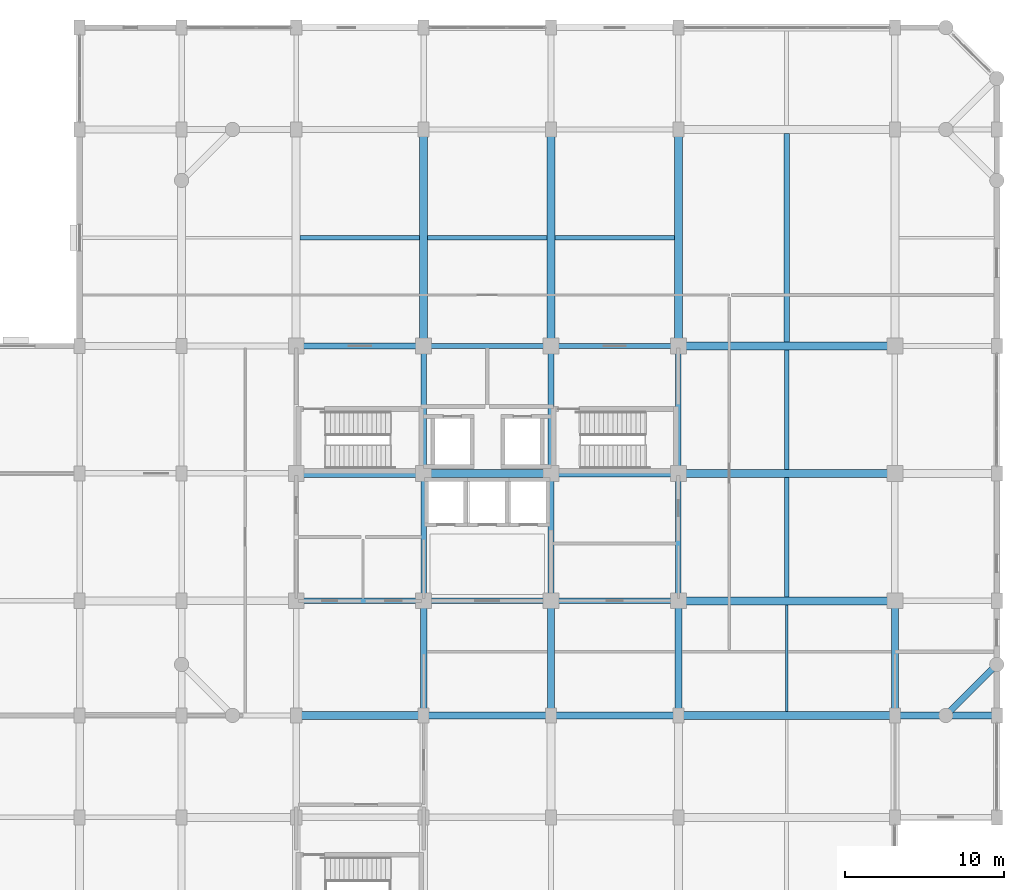
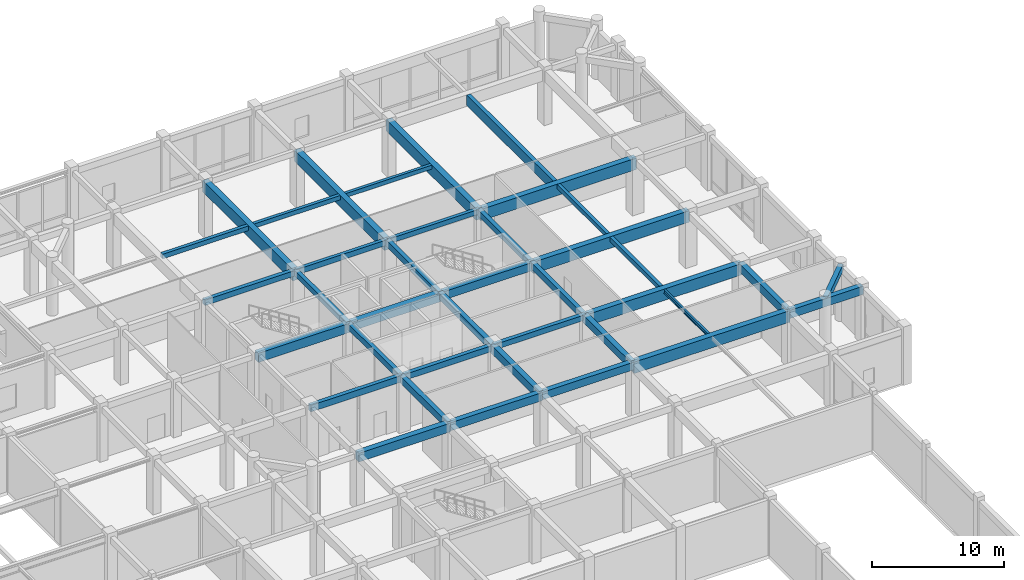
# One storey, part 15 of 36: 38 beams.
"""IFC4 building model written with IfcOpenShell, lengths in metres."""

from ifc_helpers import new_model, si_unit, direction, frame, origin, origin_2d, place, context, subcontext, project, spatial, rectangle, i_section, extrude, material, material_profile, profile_set, type_object, element, save


model = new_model("IFC4")

# Units and contexts
model_context = context("Model", 3, precision=1e-05, world=origin(), true_north=direction((0.0, 1.0)))
body_context = subcontext(model_context, "Body", "Model", "MODEL_VIEW")
ifc_project = project(units=[si_unit("LENGTHUNIT", "METRE"), si_unit("AREAUNIT", "SQUARE_METRE"), si_unit("VOLUMEUNIT", "CUBIC_METRE"), si_unit("PLANEANGLEUNIT", "RADIAN"), si_unit("MASSUNIT", "GRAM", prefix="KILO")], contexts=[model_context])

# Site, building, storey
site_placement = place(None, origin())
site = spatial("IfcSite", under=ifc_project, at=site_placement, CompositionType="ELEMENT")
building_placement = place(site_placement, origin())
building = spatial("IfcBuilding", under=site, at=building_placement, Name="Vellmiral Cinema and Media Centre", CompositionType="ELEMENT")
storey_placement = place(building_placement, frame((0.0, 0.0, 5.39990234375)))
storey = spatial("IfcBuildingStorey", under=building, at=storey_placement, Name="L01", CompositionType="ELEMENT", Elevation=5.39990234375)

# Beams
ifc_material_1 = material(Name="Concrete C40/50", Category="concrete")
ifc_material_profile_1 = material_profile(ifc_material_1, rectangle(XDim=0.300048828125, YDim=0.449951171875, at=origin_2d()), Name="RC 300x450")
ifc_profile_set_1 = profile_set([ifc_material_profile_1], Name="Concrete C40/50")
beam_type_1 = type_object("IfcBeamType", Name="BM-RC-300x450", PredefinedType="BEAM", material=ifc_profile_set_1)
beam_1_placement = place(storey_placement, frame((140.0, 95.199951171875, 4.81005859375), z_axis=(1.0, 0.0, 0.0), x_axis=(0.0, 1.0, 0.0)))
element("IfcBeam", 1, at=beam_1_placement, inside=storey, type_object=beam_type_1, Name="Grid Beam L01-X158", PredefinedType="BEAM", context=body_context, shape_type="SweptSolid", body=[
    extrude(rectangle(XDim=0.300048828125, YDim=0.449951171875, at=origin_2d()), origin(), (0.0, 0.0, 1.0), 8.0),
])
ifc_material_2 = material(Name="Concrete C40/50", Category="concrete")
ifc_material_profile_2 = material_profile(ifc_material_2, rectangle(XDim=0.300048828125, YDim=0.5, at=origin_2d()), Name="RC 300x500")
ifc_profile_set_2 = profile_set([ifc_material_profile_2], Name="Concrete C40/50")
beam_type_2 = type_object("IfcBeamType", Name="BM-RC-300x500", PredefinedType="BEAM", material=ifc_profile_set_2)
beam_2_placement = place(storey_placement, frame((132.0, 95.199951171875, 4.78515625), z_axis=(1.0, 0.0, 0.0), x_axis=(0.0, 1.0, 0.0)))
element("IfcBeam", 2, at=beam_2_placement, inside=storey, type_object=beam_type_2, Name="Grid Beam L01-X157", PredefinedType="BEAM", context=body_context, shape_type="SweptSolid", body=[
    extrude(rectangle(XDim=0.300048828125, YDim=0.5, at=origin_2d()), origin(), (0.0, 0.0, 1.0), 8.0),
])
ifc_material_3 = material(Name="Concrete C40/50", Category="concrete")
ifc_material_profile_3 = material_profile(ifc_material_3, rectangle(XDim=0.35009765625, YDim=0.5, at=origin_2d()), Name="RC 350x500")
ifc_profile_set_3 = profile_set([ifc_material_profile_3], Name="Concrete C40/50")
beam_type_3 = type_object("IfcBeamType", Name="BM-RC-350x500", PredefinedType="BEAM", material=ifc_profile_set_3)
for number, where, z_axis, x_axis, name in (
    (3, (140.0, 79.199951171875, 4.78515625), (1.0, 0.0, 0.0), (0.0, 1.0, 0.0), "Grid Beam L01-X123"),
    (4, (124.0, 95.199951171875, 4.78515625), (1.0, 0.0, 0.0), (0.0, 1.0, 0.0), "Grid Beam L01-X156"),
    (5, (132.0, 87.199951171875, 4.78515625), (0.0, 1.0, 0.0), (-1.0, 0.0, 0.0), "Grid Beam L01-Y310"),
):
    element("IfcBeam", number, at=place(storey_placement, frame(where, z_axis=z_axis, x_axis=x_axis)), inside=storey, type_object=beam_type_3, Name=name, PredefinedType="BEAM", context=body_context, shape_type="SweptSolid", body=[
        extrude(rectangle(XDim=0.35009765625, YDim=0.5, at=origin_2d()), origin(), (0.0, 0.0, 1.0), 8.0),
    ])
ifc_material_4 = material(Name="Concrete C40/50", Category="concrete")
ifc_material_profile_4 = material_profile(ifc_material_4, rectangle(XDim=0.35009765625, YDim=0.550048828125, at=origin_2d()), Name="RC 350x550")
ifc_profile_set_4 = profile_set([ifc_material_profile_4], Name="Concrete C40/50")
beam_type_4 = type_object("IfcBeamType", Name="BM-RC-350x550", PredefinedType="BEAM", material=ifc_profile_set_4)
for number, where, z_axis, x_axis, name in (
    (6, (132.0, 79.199951171875, 4.760009765625), (1.0, 0.0, 0.0), (0.0, 1.0, 0.0), "Grid Beam L01-X122"),
    (7, (132.0, 79.199951171875, 4.760009765625), (0.0, 1.0, 0.0), (-1.0, 0.0, 0.0), "Grid Beam L01-Y309"),
    (8, (148.0, 87.199951171875, 4.760009765625), (0.0, 1.0, 0.0), (-1.0, 0.0, 0.0), "Grid Beam L01-Y331"),
):
    element("IfcBeam", number, at=place(storey_placement, frame(where, z_axis=z_axis, x_axis=x_axis)), inside=storey, type_object=beam_type_4, Name=name, PredefinedType="BEAM", context=body_context, shape_type="SweptSolid", body=[
        extrude(rectangle(XDim=0.35009765625, YDim=0.550048828125, at=origin_2d()), origin(), (0.0, 0.0, 1.0), 8.0),
    ])
ifc_material_5 = material(Name="Concrete C40/50", Category="concrete")
ifc_material_profile_5 = material_profile(ifc_material_5, rectangle(XDim=0.35009765625, YDim=0.60009765625, at=origin_2d()), Name="RC 350x600")
ifc_profile_set_5 = profile_set([ifc_material_profile_5], Name="Concrete C40/50")
beam_type_5 = type_object("IfcBeamType", Name="BM-RC-350x600", PredefinedType="BEAM", material=ifc_profile_set_5)
for number, where, z_axis, x_axis, name in (
    (9, (124.0, 79.199951171875, 4.735107421875), (1.0, 0.0, 0.0), (0.0, 1.0, 0.0), "Grid Beam L01-X121"),
    (10, (140.0, 87.199951171875, 4.735107421875), (0.0, 1.0, 0.0), (-1.0, 0.0, 0.0), "Grid Beam L01-Y319"),
    (11, (148.0, 79.199951171875, 4.735107421875), (0.0, 1.0, 0.0), (-1.0, 0.0, 0.0), "Grid Beam L01-Y330"),
):
    element("IfcBeam", number, at=place(storey_placement, frame(where, z_axis=z_axis, x_axis=x_axis)), inside=storey, type_object=beam_type_5, Name=name, PredefinedType="BEAM", context=body_context, shape_type="SweptSolid", body=[
        extrude(rectangle(XDim=0.35009765625, YDim=0.60009765625, at=origin_2d()), origin(), (0.0, 0.0, 1.0), 8.0),
    ])
ifc_material_6 = material(Name="Concrete C40/50", Category="concrete")
ifc_material_profile_6 = material_profile(ifc_material_6, rectangle(XDim=0.39990234375, YDim=0.60009765625, at=origin_2d()), Name="RC 400x600")
ifc_profile_set_6 = profile_set([ifc_material_profile_6], Name="Concrete C40/50")
beam_type_6 = type_object("IfcBeamType", Name="BM-RC-400x600", PredefinedType="BEAM", material=ifc_profile_set_6)
beam_3_placement = place(storey_placement, frame((140.0, 79.199951171875, 4.735107421875), z_axis=(0.0, 1.0, 0.0), x_axis=(-1.0, 0.0, 0.0)))
element("IfcBeam", 12, at=beam_3_placement, inside=storey, type_object=beam_type_6, Name="Grid Beam L01-Y318", PredefinedType="BEAM", context=body_context, shape_type="SweptSolid", body=[
    extrude(rectangle(XDim=0.39990234375, YDim=0.60009765625, at=origin_2d()), origin(), (0.0, 0.0, 1.0), 8.0),
])
ifc_material_7 = material(Name="Concrete C40/50", Category="concrete")
ifc_material_profile_7 = material_profile(ifc_material_7, rectangle(XDim=0.39990234375, YDim=0.64990234375, at=origin_2d()), Name="RC 400x650")
ifc_profile_set_7 = profile_set([ifc_material_profile_7], Name="Concrete C40/50")
beam_type_7 = type_object("IfcBeamType", Name="BM-RC-400x650", PredefinedType="BEAM", material=ifc_profile_set_7)
beam_4_placement = place(storey_placement, frame((132.0, 72.0, 4.710205078125), z_axis=(0.0, 1.0, 0.0), x_axis=(-1.0, 0.0, 0.0)))
element("IfcBeam", 13, at=beam_4_placement, inside=storey, type_object=beam_type_7, Name="Grid Beam L01-Y308", PredefinedType="BEAM", context=body_context, shape_type="SweptSolid", body=[
    extrude(rectangle(XDim=0.39990234375, YDim=0.64990234375, at=origin_2d()), origin(), (0.0, 0.0, 1.0), 7.199951171875),
])
ifc_material_8 = material(Name="Concrete C40/50", Category="concrete")
ifc_material_profile_8 = material_profile(ifc_material_8, rectangle(XDim=0.449951171875, YDim=0.699951171875, at=origin_2d()), Name="RC 450x700")
ifc_profile_set_8 = profile_set([ifc_material_profile_8], Name="Concrete C40/50")
beam_type_8 = type_object("IfcBeamType", Name="BM-RC-450x700", PredefinedType="BEAM", material=ifc_profile_set_8)
beam_5_placement = place(storey_placement, frame((140.0, 72.0, 4.68505859375), z_axis=(1.0, 0.0, 0.0), x_axis=(0.0, 1.0, 0.0)))
element("IfcBeam", 14, at=beam_5_placement, inside=storey, type_object=beam_type_8, Name="Grid Beam L01-X107", PredefinedType="BEAM", context=body_context, shape_type="SweptSolid", body=[
    extrude(rectangle(XDim=0.449951171875, YDim=0.699951171875, at=origin_2d()), origin(), (0.0, 0.0, 1.0), 8.0),
])
beam_6_placement = place(storey_placement, frame((148.0, 72.0, 4.68505859375), z_axis=(0.0, 1.0, 0.0), x_axis=(-1.0, 0.0, 0.0)))
element("IfcBeam", 15, at=beam_6_placement, inside=storey, type_object=beam_type_8, Name="Grid Beam L01-Y329", PredefinedType="BEAM", context=body_context, shape_type="SweptSolid", body=[
    extrude(rectangle(XDim=0.449951171875, YDim=0.699951171875, at=origin_2d()), origin(), (0.0, 0.0, 1.0), 7.199951171875),
])
ifc_material_9 = material(Name="Concrete C40/50", Category="concrete")
ifc_material_profile_9 = material_profile(ifc_material_9, rectangle(XDim=0.449951171875, YDim=0.75, at=origin_2d()), Name="RC 450x750")
ifc_profile_set_9 = profile_set([ifc_material_profile_9], Name="Concrete C40/50")
beam_type_9 = type_object("IfcBeamType", Name="BM-RC-450x750", PredefinedType="BEAM", material=ifc_profile_set_9)
beam_7_placement = place(storey_placement, frame((132.0, 72.0, 4.66015625), z_axis=(1.0, 0.0, 0.0), x_axis=(0.0, 1.0, 0.0)))
element("IfcBeam", 16, at=beam_7_placement, inside=storey, type_object=beam_type_9, Name="Grid Beam L01-X106", PredefinedType="BEAM", context=body_context, shape_type="SweptSolid", body=[
    extrude(rectangle(XDim=0.449951171875, YDim=0.75, at=origin_2d()), origin(), (0.0, 0.0, 1.0), 8.0),
])
beam_8_placement = place(storey_placement, frame((161.60009765625, 72.0, 4.66015625), z_axis=(1.0, 0.0, 0.0), x_axis=(0.0, 1.0, 0.0)))
element("IfcBeam", 17, at=beam_8_placement, inside=storey, type_object=beam_type_9, Name="Grid Beam L01-X109", PredefinedType="BEAM", context=body_context, shape_type="SweptSolid", body=[
    extrude(rectangle(XDim=0.449951171875, YDim=0.75, at=origin_2d()), origin(), (0.0, 0.0, 1.0), 6.39990234375),
])
beam_9_placement = place(storey_placement, frame((140.0, 87.199951171875, 4.66015625), z_axis=(1.0, 0.0, 0.0), x_axis=(0.0, 1.0, 0.0)))
element("IfcBeam", 18, at=beam_9_placement, inside=storey, type_object=beam_type_9, Name="Grid Beam L01-X139", PredefinedType="BEAM", context=body_context, shape_type="SweptSolid", body=[
    extrude(rectangle(XDim=0.449951171875, YDim=0.75, at=origin_2d()), origin(), (0.0, 0.0, 1.0), 8.0),
])
for number, where, z_axis, x_axis, name in (
    (19, (140.0, 72.0, 4.66015625), (0.0, 1.0, 0.0), (-1.0, 0.0, 0.0), "Grid Beam L01-Y317"),
    (20, (161.60009765625, 72.0, 4.66015625), (0.0, 1.0, 0.0), (-1.0, 0.0, 0.0), "Grid Beam L01-Y339"),
):
    element("IfcBeam", number, at=place(storey_placement, frame(where, z_axis=z_axis, x_axis=x_axis)), inside=storey, type_object=beam_type_9, Name=name, PredefinedType="BEAM", context=body_context, shape_type="SweptSolid", body=[
        extrude(rectangle(XDim=0.449951171875, YDim=0.75, at=origin_2d()), origin(), (0.0, 0.0, 1.0), 7.199951171875),
    ])
ifc_material_10 = material(Name="Concrete C40/50", Category="concrete")
ifc_material_profile_10 = material_profile(ifc_material_10, rectangle(XDim=0.5, YDim=0.800048828125, at=origin_2d()), Name="RC 500x800")
ifc_profile_set_10 = profile_set([ifc_material_profile_10], Name="Concrete C40/50")
beam_type_10 = type_object("IfcBeamType", Name="BM-RC-500x800", PredefinedType="BEAM", material=ifc_profile_set_10)
for number, where, z_axis, x_axis, name in (
    (21, (124.0, 72.0, 4.635009765625), (1.0, 0.0, 0.0), (0.0, 1.0, 0.0), "Grid Beam L01-X105"),
    (22, (132.0, 87.199951171875, 4.635009765625), (1.0, 0.0, 0.0), (0.0, 1.0, 0.0), "Grid Beam L01-X138"),
):
    element("IfcBeam", number, at=place(storey_placement, frame(where, z_axis=z_axis, x_axis=x_axis)), inside=storey, type_object=beam_type_10, Name=name, PredefinedType="BEAM", context=body_context, shape_type="SweptSolid", body=[
        extrude(rectangle(XDim=0.5, YDim=0.800048828125, at=origin_2d()), origin(), (0.0, 0.0, 1.0), 8.0),
    ])
ifc_material_11 = material(Name="Concrete C40/50", Category="concrete")
ifc_material_profile_11 = material_profile(ifc_material_11, rectangle(XDim=0.5, YDim=0.85009765625, at=origin_2d()), Name="RC 500x850")
ifc_profile_set_11 = profile_set([ifc_material_profile_11], Name="Concrete C40/50")
beam_type_11 = type_object("IfcBeamType", Name="BM-RC-500x850", PredefinedType="BEAM", material=ifc_profile_set_11)
beam_10_placement = place(storey_placement, frame((124.0, 87.199951171875, 4.610107421875), z_axis=(1.0, 0.0, 0.0), x_axis=(0.0, 1.0, 0.0)))
element("IfcBeam", 23, at=beam_10_placement, inside=storey, type_object=beam_type_11, Name="Grid Beam L01-X137", PredefinedType="BEAM", context=body_context, shape_type="SweptSolid", body=[
    extrude(rectangle(XDim=0.5, YDim=0.85009765625, at=origin_2d()), origin(), (0.0, 0.0, 1.0), 8.0),
])
ifc_material_12 = material(Name="Concrete C40/50", Category="concrete")
ifc_material_profile_12 = material_profile(ifc_material_12, rectangle(XDim=0.5, YDim=1.050048828125, at=origin_2d()), Name="RC 500x1050")
ifc_profile_set_12 = profile_set([ifc_material_profile_12], Name="Concrete C40/50")
beam_type_12 = type_object("IfcBeamType", Name="BM-RCG-500x1050", PredefinedType="BEAM", material=ifc_profile_set_12)
for number, where, z_axis, x_axis, name in (
    (24, (148.0, 72.0, 4.510009765625), (1.0, 0.0, 0.0), (0.0, 1.0, 0.0), "Grid Beam L01-X108"),
    (25, (148.0, 79.199951171875, 4.510009765625), (1.0, 0.0, 0.0), (0.0, 1.0, 0.0), "Grid Beam L01-X124"),
    (26, (148.0, 87.199951171875, 4.510009765625), (1.0, 0.0, 0.0), (0.0, 1.0, 0.0), "Grid Beam L01-X140"),
    (27, (148.0, 95.199951171875, 4.510009765625), (1.0, 0.0, 0.0), (0.0, 1.0, 0.0), "Grid Beam L01-X159"),
    (28, (132.0, 95.199951171875, 4.510009765625), (0.0, 1.0, 0.0), (-1.0, 0.0, 0.0), "Grid Beam L01-Y311"),
    (29, (140.0, 95.199951171875, 4.510009765625), (0.0, 1.0, 0.0), (-1.0, 0.0, 0.0), "Grid Beam L01-Y320"),
    (30, (148.0, 95.199951171875, 4.510009765625), (0.0, 1.0, 0.0), (-1.0, 0.0, 0.0), "Grid Beam L01-Y332"),
):
    element("IfcBeam", number, at=place(storey_placement, frame(where, z_axis=z_axis, x_axis=x_axis)), inside=storey, type_object=beam_type_12, Name=name, PredefinedType="BEAM", context=body_context, shape_type="SweptSolid", body=[
        extrude(rectangle(XDim=0.5, YDim=1.050048828125, at=origin_2d()), origin(), (0.0, 0.0, 1.0), 13.60009765625),
    ])
ifc_material_13 = material(Name="Concrete C40/50", Category="concrete")
ifc_material_profile_13 = material_profile(ifc_material_13, rectangle(XDim=0.260009765625, YDim=0.3798828125, at=origin_2d()), Name="RC 260x380")
ifc_profile_set_13 = profile_set([ifc_material_profile_13], Name="Concrete C40/50")
beam_type_13 = type_object("IfcBeamType", Name="JST-RC-260x380", PredefinedType="JOIST", material=ifc_profile_set_13)
beam_11_placement = place(storey_placement, frame((140.25, 102.0, 4.84521484375), z_axis=(1.0, 0.0, 0.0), x_axis=(0.0, 1.0, 0.0)))
element("IfcBeam", 31, at=beam_11_placement, inside=storey, type_object=beam_type_13, Name="Secondary Floor Joist L01-025", PredefinedType="JOIST", context=body_context, shape_type="SweptSolid", body=[
    extrude(rectangle(XDim=0.260009765625, YDim=0.3798828125, at=origin_2d()), origin(), (0.0, 0.0, 1.0), 7.5),
])
ifc_material_14 = material(Name="Concrete C40/50", Category="concrete")
ifc_material_profile_14 = material_profile(ifc_material_14, rectangle(XDim=0.280029296875, YDim=0.39990234375, at=origin_2d()), Name="RC 280x400")
ifc_profile_set_14 = profile_set([ifc_material_profile_14], Name="Concrete C40/50")
beam_type_14 = type_object("IfcBeamType", Name="JST-RC-280x400", PredefinedType="JOIST", material=ifc_profile_set_14)
for number, where, z_axis, x_axis, name in (
    (32, (132.25, 102.0, 4.835205078125), (1.0, 0.0, 0.0), (0.0, 1.0, 0.0), "Secondary Floor Joist L01-024"),
    (33, (154.800048828125, 87.449951171875, 4.835205078125), (0.0, 1.0, 0.0), (-1.0, 0.0, 0.0), "Secondary Floor Joist L01-030"),
):
    element("IfcBeam", number, at=place(storey_placement, frame(where, z_axis=z_axis, x_axis=x_axis)), inside=storey, type_object=beam_type_14, Name=name, PredefinedType="JOIST", context=body_context, shape_type="SweptSolid", body=[
        extrude(rectangle(XDim=0.280029296875, YDim=0.39990234375, at=origin_2d()), origin(), (0.0, 0.0, 1.0), 7.5),
    ])
ifc_material_15 = material(Name="Concrete C40/50", Category="concrete")
ifc_material_profile_15 = material_profile(ifc_material_15, rectangle(XDim=0.300048828125, YDim=0.419921875, at=origin_2d()), Name="RC 300x420")
ifc_profile_set_15 = profile_set([ifc_material_profile_15], Name="Concrete C40/50")
beam_type_15 = type_object("IfcBeamType", Name="JST-RC-300x420", PredefinedType="JOIST", material=ifc_profile_set_15)
for number, where, z_axis, x_axis, name in (
    (34, (124.25, 102.0, 4.8251953125), (1.0, 0.0, 0.0), (0.0, 1.0, 0.0), "Secondary Floor Joist L01-023"),
    (35, (154.800048828125, 79.449951171875, 4.8251953125), (0.0, 1.0, 0.0), (-1.0, 0.0, 0.0), "Secondary Floor Joist L01-029"),
):
    element("IfcBeam", number, at=place(storey_placement, frame(where, z_axis=z_axis, x_axis=x_axis)), inside=storey, type_object=beam_type_15, Name=name, PredefinedType="JOIST", context=body_context, shape_type="SweptSolid", body=[
        extrude(rectangle(XDim=0.300048828125, YDim=0.419921875, at=origin_2d()), origin(), (0.0, 0.0, 1.0), 7.5),
    ])
ifc_material_16 = material(Name="Concrete C40/50", Category="concrete")
ifc_material_profile_16 = material_profile(ifc_material_16, rectangle(XDim=0.35009765625, YDim=0.949951171875, at=origin_2d()), Name="RC 350x950")
ifc_profile_set_16 = profile_set([ifc_material_profile_16], Name="Concrete C40/50")
beam_type_16 = type_object("IfcBeamType", Name="JST-RCG-350x950", PredefinedType="JOIST", material=ifc_profile_set_16)
beam_12_placement = place(storey_placement, frame((154.800048828125, 95.449951171875, 4.56005859375), z_axis=(0.0, 1.0, 0.0), x_axis=(-1.0, 0.0, 0.0)))
element("IfcBeam", 36, at=beam_12_placement, inside=storey, type_object=beam_type_16, Name="Secondary Floor Joist L01-031", PredefinedType="JOIST", context=body_context, shape_type="SweptSolid", body=[
    extrude(rectangle(XDim=0.35009765625, YDim=0.949951171875, at=origin_2d()), origin(), (0.0, 0.0, 1.0), 13.10009765625),
])
ifc_material_17 = material(Name="Steel S355", Category="steel")
ifc_material_profile_17 = material_profile(ifc_material_17, i_section(OverallWidth=0.169921875, OverallDepth=0.360107421875, WebThickness=0.008056640625, FlangeThickness=0.0126953125, FilletRadius=0.01806640625, at=origin_2d()), Name="IPE 360")
ifc_profile_set_17 = profile_set([ifc_material_profile_17], Name="Steel S355")
beam_type_17 = type_object("IfcBeamType", Name="SBM-IPE360", PredefinedType="JOIST", material=ifc_profile_set_17)
beam_13_placement = place(storey_placement, frame((154.800048828125, 72.25, 4.85498046875), z_axis=(0.0, 1.0, 0.0), x_axis=(-1.0, 0.0, 0.0)))
element("IfcBeam", 37, at=beam_13_placement, inside=storey, type_object=beam_type_17, Name="Secondary Floor Joist L01-028", PredefinedType="JOIST", context=body_context, shape_type="SweptSolid", body=[
    extrude(i_section(OverallWidth=0.169921875, OverallDepth=0.360107421875, WebThickness=0.008056640625, FlangeThickness=0.0126953125, FilletRadius=0.01806640625, at=origin_2d()), origin(), (0.0, 0.0, 1.0), 6.699951171875),
])
ifc_material_18 = material(Name="Concrete C40/50", Category="concrete")
ifc_material_profile_18 = material_profile(ifc_material_18, rectangle(XDim=0.39990234375, YDim=0.60009765625, at=origin_2d()), Name="RC 400x600")
ifc_profile_set_18 = profile_set([ifc_material_profile_18], Name="Concrete C40/50")
beam_type_18 = type_object("IfcBeamType", Name="SPD-RC-400x600", PredefinedType="SPANDREL", material=ifc_profile_set_18)
beam_14_placement = place(storey_placement, frame((164.800048828125, 72.0, 4.735107421875), z_axis=(0.707106781187, 0.707106781187, 0.0), x_axis=(-0.707106781187, 0.707106781187, 0.0)))
element("IfcBeam", 38, at=beam_14_placement, inside=storey, type_object=beam_type_18, Name="Xamfra Chamfer Spandrel Beam L01-351", PredefinedType="SPANDREL", context=body_context, shape_type="SweptSolid", body=[
    extrude(rectangle(XDim=0.39990234375, YDim=0.60009765625, at=origin_2d()), origin(), (0.0, 0.0, 1.0), 4.525390625),
])

save(model, "model.ifc")
